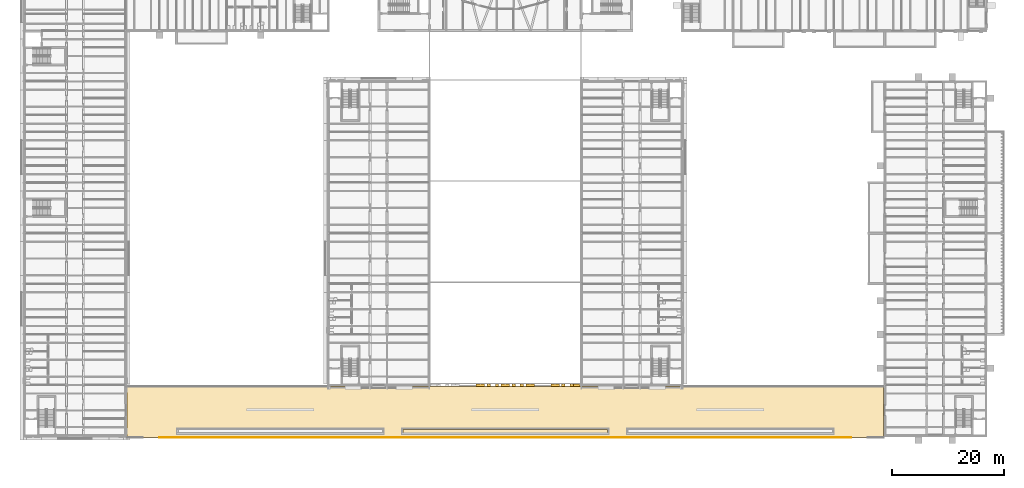
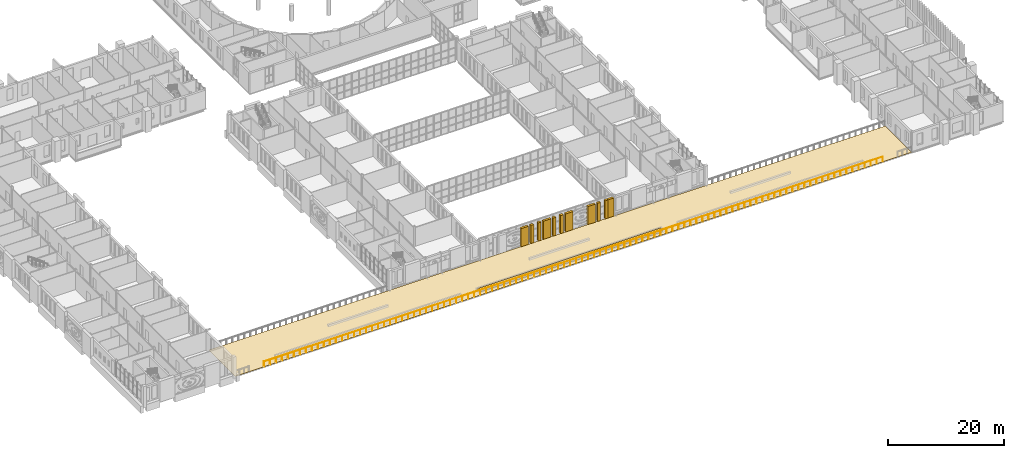
# One storey, part 115 of 134: 13 coverings, 1 railing.
"""IFC4 building model written with IfcOpenShell, lengths in metres."""

from ifc_helpers import new_model, si_unit, direction, frame, origin, origin_2d, place, context, subcontext, project, spatial, polyline, circle, outline, extrude, material, layer, layer_set, type_object, element, save


model = new_model("IFC4")

# Units and contexts
model_context = context("Model", 3, precision=1e-05, world=origin(), true_north=direction((0.0, 1.0)))
body_context = subcontext(model_context, "Body", "Model", "MODEL_VIEW")
ifc_project = project(units=[si_unit("LENGTHUNIT", "METRE"), si_unit("AREAUNIT", "SQUARE_METRE"), si_unit("VOLUMEUNIT", "CUBIC_METRE"), si_unit("PLANEANGLEUNIT", "RADIAN"), si_unit("MASSUNIT", "GRAM", prefix="KILO")], contexts=[model_context])

# Site, building, storey
site_placement = place(None, origin())
site = spatial("IfcSite", under=ifc_project, at=site_placement, CompositionType="ELEMENT")
building_placement = place(site_placement, origin())
building = spatial("IfcBuilding", under=site, at=building_placement, Name="Golden Quay Civic Hall", CompositionType="ELEMENT")
storey_placement = place(building_placement, frame((0.0, 0.0, 5.39990234375)))
storey = spatial("IfcBuildingStorey", under=building, at=storey_placement, Name="L01", CompositionType="ELEMENT", Elevation=5.39990234375)

# Covering
ifc_material_1 = material(Name="Planting soil")
ifc_layer_1 = layer(ifc_material_1, 0.39990234375)
ifc_layer_set_1 = layer_set([ifc_layer_1], Name="Planting soil 400")
covering_type_1 = type_object("IfcCoveringType", Name="Planting soil 400", PredefinedType="FLOORING", material=ifc_layer_set_1)
covering_1_placement = place(storey_placement, origin())
element("IfcCovering", 1, at=covering_1_placement, inside=storey, type_object=covering_type_1, Name="Terrace planting 2", PredefinedType="FLOORING", context=body_context, shape_type="SweptSolid", body=[
    extrude(outline(polyline([(67.300048828125, -8.5), (103.699951171875, -8.5), (103.699951171875, -7.89990234375), (67.300048828125, -7.89990234375), (67.300048828125, -8.5)])), origin(), (0.0, 0.0, 1.0), 0.400146484375),
])

# Railing
ifc_material_2 = material(Name="Stainless steel", Category="steel")
railing_type = type_object("IfcRailingType", Name="Stainless steel guard 1100", PredefinedType="GUARDRAIL", material=ifc_material_2)
railing_placement = place(storey_placement, frame((24.0, -9.320068359375, 0.0)))
element("IfcRailing", 2, at=railing_placement, inside=storey, type_object=railing_type, Name="Terrace guard front 2", PredefinedType="GUARDRAIL", context=body_context, shape_type="SweptSolid", body=[
    extrude(circle(Radius=0.02490234375, at=origin_2d()), frame((0.0, 0.0, 1.0751953125), z_axis=(1.0, 0.0, 0.0), x_axis=(0.0, 1.0, 0.0)), (0.0, 0.0, 1.0), 123.0),
    extrude(circle(Radius=0.02001953125, at=origin_2d()), origin(), (0.0, 0.0, 1.0), 1.050048828125),
    extrude(circle(Radius=0.02001953125, at=origin_2d()), frame((1.194091796875, 0.0, 0.0)), (0.0, 0.0, 1.0), 1.050048828125),
    extrude(circle(Radius=0.02001953125, at=origin_2d()), frame((2.388427734375, 0.0, 0.0)), (0.0, 0.0, 1.0), 1.050048828125),
    extrude(circle(Radius=0.02001953125, at=origin_2d()), frame((3.58251953125, 0.0, 0.0)), (0.0, 0.0, 1.0), 1.050048828125),
    extrude(circle(Radius=0.02001953125, at=origin_2d()), frame((4.776611328125, 0.0, 0.0)), (0.0, 0.0, 1.0), 1.050048828125),
    extrude(circle(Radius=0.02001953125, at=origin_2d()), frame((5.970947265625, 0.0, 0.0)), (0.0, 0.0, 1.0), 1.050048828125),
    extrude(circle(Radius=0.02001953125, at=origin_2d()), frame((7.1650390625, 0.0, 0.0)), (0.0, 0.0, 1.0), 1.050048828125),
    extrude(circle(Radius=0.02001953125, at=origin_2d()), frame((8.359130859375, 0.0, 0.0)), (0.0, 0.0, 1.0), 1.050048828125),
    extrude(circle(Radius=0.02001953125, at=origin_2d()), frame((9.553466796875, 0.0, 0.0)), (0.0, 0.0, 1.0), 1.050048828125),
    extrude(circle(Radius=0.02001953125, at=origin_2d()), frame((10.74755859375, 0.0, 0.0)), (0.0, 0.0, 1.0), 1.050048828125),
    extrude(circle(Radius=0.02001953125, at=origin_2d()), frame((11.941650390625, 0.0, 0.0)), (0.0, 0.0, 1.0), 1.050048828125),
    extrude(circle(Radius=0.02001953125, at=origin_2d()), frame((13.135986328125, 0.0, 0.0)), (0.0, 0.0, 1.0), 1.050048828125),
    extrude(circle(Radius=0.02001953125, at=origin_2d()), frame((14.330078125, 0.0, 0.0)), (0.0, 0.0, 1.0), 1.050048828125),
    extrude(circle(Radius=0.02001953125, at=origin_2d()), frame((15.524169921875, 0.0, 0.0)), (0.0, 0.0, 1.0), 1.050048828125),
    extrude(circle(Radius=0.02001953125, at=origin_2d()), frame((16.718505859375, 0.0, 0.0)), (0.0, 0.0, 1.0), 1.050048828125),
    extrude(circle(Radius=0.02001953125, at=origin_2d()), frame((17.91259765625, 0.0, 0.0)), (0.0, 0.0, 1.0), 1.050048828125),
    extrude(circle(Radius=0.02001953125, at=origin_2d()), frame((19.106689453125, 0.0, 0.0)), (0.0, 0.0, 1.0), 1.050048828125),
    extrude(circle(Radius=0.02001953125, at=origin_2d()), frame((20.301025390625, 0.0, 0.0)), (0.0, 0.0, 1.0), 1.050048828125),
    extrude(circle(Radius=0.02001953125, at=origin_2d()), frame((21.4951171875, 0.0, 0.0)), (0.0, 0.0, 1.0), 1.050048828125),
    extrude(circle(Radius=0.02001953125, at=origin_2d()), frame((22.689208984375, 0.0, 0.0)), (0.0, 0.0, 1.0), 1.050048828125),
    extrude(circle(Radius=0.02001953125, at=origin_2d()), frame((23.883544921875, 0.0, 0.0)), (0.0, 0.0, 1.0), 1.050048828125),
    extrude(circle(Radius=0.02001953125, at=origin_2d()), frame((25.07763671875, 0.0, 0.0)), (0.0, 0.0, 1.0), 1.050048828125),
    extrude(circle(Radius=0.02001953125, at=origin_2d()), frame((26.271728515625, 0.0, 0.0)), (0.0, 0.0, 1.0), 1.050048828125),
    extrude(circle(Radius=0.02001953125, at=origin_2d()), frame((27.466064453125, 0.0, 0.0)), (0.0, 0.0, 1.0), 1.050048828125),
    extrude(circle(Radius=0.02001953125, at=origin_2d()), frame((28.66015625, 0.0, 0.0)), (0.0, 0.0, 1.0), 1.050048828125),
    extrude(circle(Radius=0.02001953125, at=origin_2d()), frame((29.854248046875, 0.0, 0.0)), (0.0, 0.0, 1.0), 1.050048828125),
    extrude(circle(Radius=0.02001953125, at=origin_2d()), frame((31.048583984375, 0.0, 0.0)), (0.0, 0.0, 1.0), 1.050048828125),
    extrude(circle(Radius=0.02001953125, at=origin_2d()), frame((32.24267578125, 0.0, 0.0)), (0.0, 0.0, 1.0), 1.050048828125),
    extrude(circle(Radius=0.02001953125, at=origin_2d()), frame((33.43701171875, 0.0, 0.0)), (0.0, 0.0, 1.0), 1.050048828125),
    extrude(circle(Radius=0.02001953125, at=origin_2d()), frame((34.631103515625, 0.0, 0.0)), (0.0, 0.0, 1.0), 1.050048828125),
    extrude(circle(Radius=0.02001953125, at=origin_2d()), frame((35.8251953125, 0.0, 0.0)), (0.0, 0.0, 1.0), 1.050048828125),
    extrude(circle(Radius=0.02001953125, at=origin_2d()), frame((37.01953125, 0.0, 0.0)), (0.0, 0.0, 1.0), 1.050048828125),
    extrude(circle(Radius=0.02001953125, at=origin_2d()), frame((38.213623046875, 0.0, 0.0)), (0.0, 0.0, 1.0), 1.050048828125),
    extrude(circle(Radius=0.02001953125, at=origin_2d()), frame((39.40771484375, 0.0, 0.0)), (0.0, 0.0, 1.0), 1.050048828125),
    extrude(circle(Radius=0.02001953125, at=origin_2d()), frame((40.60205078125, 0.0, 0.0)), (0.0, 0.0, 1.0), 1.050048828125),
    extrude(circle(Radius=0.02001953125, at=origin_2d()), frame((41.796142578125, 0.0, 0.0)), (0.0, 0.0, 1.0), 1.050048828125),
    extrude(circle(Radius=0.02001953125, at=origin_2d()), frame((42.990234375, 0.0, 0.0)), (0.0, 0.0, 1.0), 1.050048828125),
    extrude(circle(Radius=0.02001953125, at=origin_2d()), frame((44.1845703125, 0.0, 0.0)), (0.0, 0.0, 1.0), 1.050048828125),
    extrude(circle(Radius=0.02001953125, at=origin_2d()), frame((45.378662109375, 0.0, 0.0)), (0.0, 0.0, 1.0), 1.050048828125),
    extrude(circle(Radius=0.02001953125, at=origin_2d()), frame((46.57275390625, 0.0, 0.0)), (0.0, 0.0, 1.0), 1.050048828125),
    extrude(circle(Radius=0.02001953125, at=origin_2d()), frame((47.76708984375, 0.0, 0.0)), (0.0, 0.0, 1.0), 1.050048828125),
    extrude(circle(Radius=0.02001953125, at=origin_2d()), frame((48.961181640625, 0.0, 0.0)), (0.0, 0.0, 1.0), 1.050048828125),
    extrude(circle(Radius=0.02001953125, at=origin_2d()), frame((50.1552734375, 0.0, 0.0)), (0.0, 0.0, 1.0), 1.050048828125),
    extrude(circle(Radius=0.02001953125, at=origin_2d()), frame((51.349609375, 0.0, 0.0)), (0.0, 0.0, 1.0), 1.050048828125),
    extrude(circle(Radius=0.02001953125, at=origin_2d()), frame((52.543701171875, 0.0, 0.0)), (0.0, 0.0, 1.0), 1.050048828125),
    extrude(circle(Radius=0.02001953125, at=origin_2d()), frame((53.73779296875, 0.0, 0.0)), (0.0, 0.0, 1.0), 1.050048828125),
    extrude(circle(Radius=0.02001953125, at=origin_2d()), frame((54.93212890625, 0.0, 0.0)), (0.0, 0.0, 1.0), 1.050048828125),
    extrude(circle(Radius=0.02001953125, at=origin_2d()), frame((56.126220703125, 0.0, 0.0)), (0.0, 0.0, 1.0), 1.050048828125),
    extrude(circle(Radius=0.02001953125, at=origin_2d()), frame((57.3203125, 0.0, 0.0)), (0.0, 0.0, 1.0), 1.050048828125),
    extrude(circle(Radius=0.02001953125, at=origin_2d()), frame((58.5146484375, 0.0, 0.0)), (0.0, 0.0, 1.0), 1.050048828125),
    extrude(circle(Radius=0.02001953125, at=origin_2d()), frame((59.708740234375, 0.0, 0.0)), (0.0, 0.0, 1.0), 1.050048828125),
    extrude(circle(Radius=0.02001953125, at=origin_2d()), frame((60.90283203125, 0.0, 0.0)), (0.0, 0.0, 1.0), 1.050048828125),
    extrude(circle(Radius=0.02001953125, at=origin_2d()), frame((62.09716796875, 0.0, 0.0)), (0.0, 0.0, 1.0), 1.050048828125),
    extrude(circle(Radius=0.02001953125, at=origin_2d()), frame((63.291259765625, 0.0, 0.0)), (0.0, 0.0, 1.0), 1.050048828125),
    extrude(circle(Radius=0.02001953125, at=origin_2d()), frame((64.4853515625, 0.0, 0.0)), (0.0, 0.0, 1.0), 1.050048828125),
    extrude(circle(Radius=0.02001953125, at=origin_2d()), frame((65.6796875, 0.0, 0.0)), (0.0, 0.0, 1.0), 1.050048828125),
    extrude(circle(Radius=0.02001953125, at=origin_2d()), frame((66.873779296875, 0.0, 0.0)), (0.0, 0.0, 1.0), 1.050048828125),
    extrude(circle(Radius=0.02001953125, at=origin_2d()), frame((68.06787109375, 0.0, 0.0)), (0.0, 0.0, 1.0), 1.050048828125),
    extrude(circle(Radius=0.02001953125, at=origin_2d()), frame((69.26220703125, 0.0, 0.0)), (0.0, 0.0, 1.0), 1.050048828125),
    extrude(circle(Radius=0.02001953125, at=origin_2d()), frame((70.456298828125, 0.0, 0.0)), (0.0, 0.0, 1.0), 1.050048828125),
    extrude(circle(Radius=0.02001953125, at=origin_2d()), frame((71.650390625, 0.0, 0.0)), (0.0, 0.0, 1.0), 1.050048828125),
    extrude(circle(Radius=0.02001953125, at=origin_2d()), frame((72.8447265625, 0.0, 0.0)), (0.0, 0.0, 1.0), 1.050048828125),
    extrude(circle(Radius=0.02001953125, at=origin_2d()), frame((74.038818359375, 0.0, 0.0)), (0.0, 0.0, 1.0), 1.050048828125),
    extrude(circle(Radius=0.02001953125, at=origin_2d()), frame((75.23291015625, 0.0, 0.0)), (0.0, 0.0, 1.0), 1.050048828125),
    extrude(circle(Radius=0.02001953125, at=origin_2d()), frame((76.42724609375, 0.0, 0.0)), (0.0, 0.0, 1.0), 1.050048828125),
    extrude(circle(Radius=0.02001953125, at=origin_2d()), frame((77.621337890625, 0.0, 0.0)), (0.0, 0.0, 1.0), 1.050048828125),
    extrude(circle(Radius=0.02001953125, at=origin_2d()), frame((78.8154296875, 0.0, 0.0)), (0.0, 0.0, 1.0), 1.050048828125),
    extrude(circle(Radius=0.02001953125, at=origin_2d()), frame((80.009765625, 0.0, 0.0)), (0.0, 0.0, 1.0), 1.050048828125),
    extrude(circle(Radius=0.02001953125, at=origin_2d()), frame((81.203857421875, 0.0, 0.0)), (0.0, 0.0, 1.0), 1.050048828125),
    extrude(circle(Radius=0.02001953125, at=origin_2d()), frame((82.39794921875, 0.0, 0.0)), (0.0, 0.0, 1.0), 1.050048828125),
    extrude(circle(Radius=0.02001953125, at=origin_2d()), frame((83.59228515625, 0.0, 0.0)), (0.0, 0.0, 1.0), 1.050048828125),
    extrude(circle(Radius=0.02001953125, at=origin_2d()), frame((84.786376953125, 0.0, 0.0)), (0.0, 0.0, 1.0), 1.050048828125),
    extrude(circle(Radius=0.02001953125, at=origin_2d()), frame((85.98046875, 0.0, 0.0)), (0.0, 0.0, 1.0), 1.050048828125),
    extrude(circle(Radius=0.02001953125, at=origin_2d()), frame((87.1748046875, 0.0, 0.0)), (0.0, 0.0, 1.0), 1.050048828125),
    extrude(circle(Radius=0.02001953125, at=origin_2d()), frame((88.368896484375, 0.0, 0.0)), (0.0, 0.0, 1.0), 1.050048828125),
    extrude(circle(Radius=0.02001953125, at=origin_2d()), frame((89.56298828125, 0.0, 0.0)), (0.0, 0.0, 1.0), 1.050048828125),
    extrude(circle(Radius=0.02001953125, at=origin_2d()), frame((90.75732421875, 0.0, 0.0)), (0.0, 0.0, 1.0), 1.050048828125),
    extrude(circle(Radius=0.02001953125, at=origin_2d()), frame((91.951416015625, 0.0, 0.0)), (0.0, 0.0, 1.0), 1.050048828125),
    extrude(circle(Radius=0.02001953125, at=origin_2d()), frame((93.145751953125, 0.0, 0.0)), (0.0, 0.0, 1.0), 1.050048828125),
    extrude(circle(Radius=0.02001953125, at=origin_2d()), frame((94.33984375, 0.0, 0.0)), (0.0, 0.0, 1.0), 1.050048828125),
    extrude(circle(Radius=0.02001953125, at=origin_2d()), frame((95.533935546875, 0.0, 0.0)), (0.0, 0.0, 1.0), 1.050048828125),
    extrude(circle(Radius=0.02001953125, at=origin_2d()), frame((96.728271484375, 0.0, 0.0)), (0.0, 0.0, 1.0), 1.050048828125),
    extrude(circle(Radius=0.02001953125, at=origin_2d()), frame((97.92236328125, 0.0, 0.0)), (0.0, 0.0, 1.0), 1.050048828125),
    extrude(circle(Radius=0.02001953125, at=origin_2d()), frame((99.116455078125, 0.0, 0.0)), (0.0, 0.0, 1.0), 1.050048828125),
    extrude(circle(Radius=0.02001953125, at=origin_2d()), frame((100.310791015625, 0.0, 0.0)), (0.0, 0.0, 1.0), 1.050048828125),
    extrude(circle(Radius=0.02001953125, at=origin_2d()), frame((101.5048828125, 0.0, 0.0)), (0.0, 0.0, 1.0), 1.050048828125),
    extrude(circle(Radius=0.02001953125, at=origin_2d()), frame((102.698974609375, 0.0, 0.0)), (0.0, 0.0, 1.0), 1.050048828125),
    extrude(circle(Radius=0.02001953125, at=origin_2d()), frame((103.893310546875, 0.0, 0.0)), (0.0, 0.0, 1.0), 1.050048828125),
    extrude(circle(Radius=0.02001953125, at=origin_2d()), frame((105.08740234375, 0.0, 0.0)), (0.0, 0.0, 1.0), 1.050048828125),
    extrude(circle(Radius=0.02001953125, at=origin_2d()), frame((106.281494140625, 0.0, 0.0)), (0.0, 0.0, 1.0), 1.050048828125),
    extrude(circle(Radius=0.02001953125, at=origin_2d()), frame((107.475830078125, 0.0, 0.0)), (0.0, 0.0, 1.0), 1.050048828125),
    extrude(circle(Radius=0.02001953125, at=origin_2d()), frame((108.669921875, 0.0, 0.0)), (0.0, 0.0, 1.0), 1.050048828125),
    extrude(circle(Radius=0.02001953125, at=origin_2d()), frame((109.864013671875, 0.0, 0.0)), (0.0, 0.0, 1.0), 1.050048828125),
    extrude(circle(Radius=0.02001953125, at=origin_2d()), frame((111.058349609375, 0.0, 0.0)), (0.0, 0.0, 1.0), 1.050048828125),
    extrude(circle(Radius=0.02001953125, at=origin_2d()), frame((112.25244140625, 0.0, 0.0)), (0.0, 0.0, 1.0), 1.050048828125),
    extrude(circle(Radius=0.02001953125, at=origin_2d()), frame((113.446533203125, 0.0, 0.0)), (0.0, 0.0, 1.0), 1.050048828125),
    extrude(circle(Radius=0.02001953125, at=origin_2d()), frame((114.640869140625, 0.0, 0.0)), (0.0, 0.0, 1.0), 1.050048828125),
    extrude(circle(Radius=0.02001953125, at=origin_2d()), frame((115.8349609375, 0.0, 0.0)), (0.0, 0.0, 1.0), 1.050048828125),
    extrude(circle(Radius=0.02001953125, at=origin_2d()), frame((117.029052734375, 0.0, 0.0)), (0.0, 0.0, 1.0), 1.050048828125),
    extrude(circle(Radius=0.02001953125, at=origin_2d()), frame((118.223388671875, 0.0, 0.0)), (0.0, 0.0, 1.0), 1.050048828125),
    extrude(circle(Radius=0.02001953125, at=origin_2d()), frame((119.41748046875, 0.0, 0.0)), (0.0, 0.0, 1.0), 1.050048828125),
    extrude(circle(Radius=0.02001953125, at=origin_2d()), frame((120.611572265625, 0.0, 0.0)), (0.0, 0.0, 1.0), 1.050048828125),
    extrude(circle(Radius=0.02001953125, at=origin_2d()), frame((121.805908203125, 0.0, 0.0)), (0.0, 0.0, 1.0), 1.050048828125),
    extrude(circle(Radius=0.02001953125, at=origin_2d()), frame((123.0, 0.0, 0.0)), (0.0, 0.0, 1.0), 1.050048828125),
])

# Coverings
ifc_material_3 = material(Name="Terracotta paving", Category="masonry")
ifc_layer_2 = layer(ifc_material_3, 0.030029296875)
ifc_layer_set_2 = layer_set([ifc_layer_2], Name="Terrace paving 30")
covering_type_2 = type_object("IfcCoveringType", Name="Terrace paving 30", PredefinedType="FLOORING", material=ifc_layer_set_2)
covering_2_placement = place(storey_placement, frame((0.0, 0.0, -0.02978515625)))
element("IfcCovering", 3, at=covering_2_placement, inside=storey, type_object=covering_type_2, Name="Public terrace paving", PredefinedType="FLOORING", context=body_context, shape_type="SweptSolid", body=[
    extrude(outline(polyline([(18.25, -9.35009765625), (152.75, -9.35009765625), (152.75, -0.25), (18.25, -0.25), (18.25, -9.35009765625)])), origin(), (0.0, 0.0, 1.0), 0.02978515625),
])
ifc_material_4 = material(Name="Terracotta cladding, golden glaze", Category="masonry")
covering_type_3 = type_object("IfcCoveringType", Name="Terracotta hall screen minor pier 600 x 450", PredefinedType="CLADDING", material=ifc_material_4)
covering_3_placement = place(storey_placement, origin())
element("IfcCovering", 4, at=covering_3_placement, inside=storey, type_object=covering_type_3, Name="Hall screen minor pier south L01 7", PredefinedType="CLADDING", context=body_context, shape_type="SweptSolid", body=[
    extrude(outline(polyline([(82.243896484375, -0.300048828125), (82.843994140625, -0.300048828125), (82.843994140625, 0.14990234375), (82.243896484375, 0.14990234375), (82.243896484375, -0.300048828125)])), origin(), (0.0, 0.0, 1.0), 3.800048828125),
])
covering_4_placement = place(storey_placement, origin())
element("IfcCovering", 5, at=covering_4_placement, inside=storey, type_object=covering_type_3, Name="Hall screen minor pier south L01 8", PredefinedType="CLADDING", context=body_context, shape_type="SweptSolid", body=[
    extrude(outline(polyline([(83.721923828125, -0.300048828125), (84.322021484375, -0.300048828125), (84.322021484375, 0.14990234375), (83.721923828125, 0.14990234375), (83.721923828125, -0.300048828125)])), origin(), (0.0, 0.0, 1.0), 3.800048828125),
])
covering_5_placement = place(storey_placement, origin())
element("IfcCovering", 6, at=covering_5_placement, inside=storey, type_object=covering_type_3, Name="Hall screen minor pier south L01 10", PredefinedType="CLADDING", context=body_context, shape_type="SweptSolid", body=[
    extrude(outline(polyline([(86.677978515625, -0.300048828125), (87.278076171875, -0.300048828125), (87.278076171875, 0.14990234375), (86.677978515625, 0.14990234375), (86.677978515625, -0.300048828125)])), origin(), (0.0, 0.0, 1.0), 3.800048828125),
])
covering_6_placement = place(storey_placement, origin())
element("IfcCovering", 7, at=covering_6_placement, inside=storey, type_object=covering_type_3, Name="Hall screen minor pier south L01 11", PredefinedType="CLADDING", context=body_context, shape_type="SweptSolid", body=[
    extrude(outline(polyline([(88.156005859375, -0.300048828125), (88.756103515625, -0.300048828125), (88.756103515625, 0.14990234375), (88.156005859375, 0.14990234375), (88.156005859375, -0.300048828125)])), origin(), (0.0, 0.0, 1.0), 3.800048828125),
])
covering_7_placement = place(storey_placement, origin())
element("IfcCovering", 8, at=covering_7_placement, inside=storey, type_object=covering_type_3, Name="Hall screen minor pier south L01 16", PredefinedType="CLADDING", context=body_context, shape_type="SweptSolid", body=[
    extrude(outline(polyline([(95.5439453125, -0.300048828125), (96.14404296875, -0.300048828125), (96.14404296875, 0.14990234375), (95.5439453125, 0.14990234375), (95.5439453125, -0.300048828125)])), origin(), (0.0, 0.0, 1.0), 3.800048828125),
])
covering_8_placement = place(storey_placement, origin())
element("IfcCovering", 9, at=covering_8_placement, inside=storey, type_object=covering_type_3, Name="Hall screen minor pier south L01 17", PredefinedType="CLADDING", context=body_context, shape_type="SweptSolid", body=[
    extrude(outline(polyline([(97.02197265625, -0.300048828125), (97.6220703125, -0.300048828125), (97.6220703125, 0.14990234375), (97.02197265625, 0.14990234375), (97.02197265625, -0.300048828125)])), origin(), (0.0, 0.0, 1.0), 3.800048828125),
])
ifc_material_5 = material(Name="Terracotta cladding, golden glaze", Category="masonry")
covering_type_4 = type_object("IfcCoveringType", Name="Terracotta hall screen pier 1500 x 450", PredefinedType="CLADDING", material=ifc_material_5)
covering_9_placement = place(storey_placement, origin())
element("IfcCovering", 10, at=covering_9_placement, inside=storey, type_object=covering_type_4, Name="Hall screen pier south L01 6", PredefinedType="CLADDING", context=body_context, shape_type="SweptSolid", body=[
    extrude(outline(polyline([(80.31689453125, -0.300048828125), (81.81689453125, -0.300048828125), (81.81689453125, 0.14990234375), (80.31689453125, 0.14990234375), (80.31689453125, -0.300048828125)])), origin(), (0.0, 0.0, 1.0), 3.800048828125),
])
covering_10_placement = place(storey_placement, origin())
element("IfcCovering", 11, at=covering_10_placement, inside=storey, type_object=covering_type_4, Name="Hall screen pier south L01 9", PredefinedType="CLADDING", context=body_context, shape_type="SweptSolid", body=[
    extrude(outline(polyline([(84.75, -0.300048828125), (86.25, -0.300048828125), (86.25, 0.14990234375), (84.75, 0.14990234375), (84.75, -0.300048828125)])), origin(), (0.0, 0.0, 1.0), 3.800048828125),
])
covering_11_placement = place(storey_placement, origin())
element("IfcCovering", 12, at=covering_11_placement, inside=storey, type_object=covering_type_4, Name="Hall screen pier south L01 12", PredefinedType="CLADDING", context=body_context, shape_type="SweptSolid", body=[
    extrude(outline(polyline([(89.18310546875, -0.300048828125), (90.68310546875, -0.300048828125), (90.68310546875, 0.14990234375), (89.18310546875, 0.14990234375), (89.18310546875, -0.300048828125)])), origin(), (0.0, 0.0, 1.0), 3.800048828125),
])
covering_12_placement = place(storey_placement, origin())
element("IfcCovering", 13, at=covering_12_placement, inside=storey, type_object=covering_type_4, Name="Hall screen pier south L01 15", PredefinedType="CLADDING", context=body_context, shape_type="SweptSolid", body=[
    extrude(outline(polyline([(93.616943359375, -0.300048828125), (95.116943359375, -0.300048828125), (95.116943359375, 0.14990234375), (93.616943359375, 0.14990234375), (93.616943359375, -0.300048828125)])), origin(), (0.0, 0.0, 1.0), 3.800048828125),
])
covering_13_placement = place(storey_placement, origin())
element("IfcCovering", 14, at=covering_13_placement, inside=storey, type_object=covering_type_4, Name="Hall screen pier south L01 18", PredefinedType="CLADDING", context=body_context, shape_type="SweptSolid", body=[
    extrude(outline(polyline([(97.280029296875, -0.300048828125), (98.780029296875, -0.300048828125), (98.780029296875, 0.14990234375), (97.280029296875, 0.14990234375), (97.280029296875, -0.300048828125)])), origin(), (0.0, 0.0, 1.0), 3.800048828125),
])

save(model, "model.ifc")
